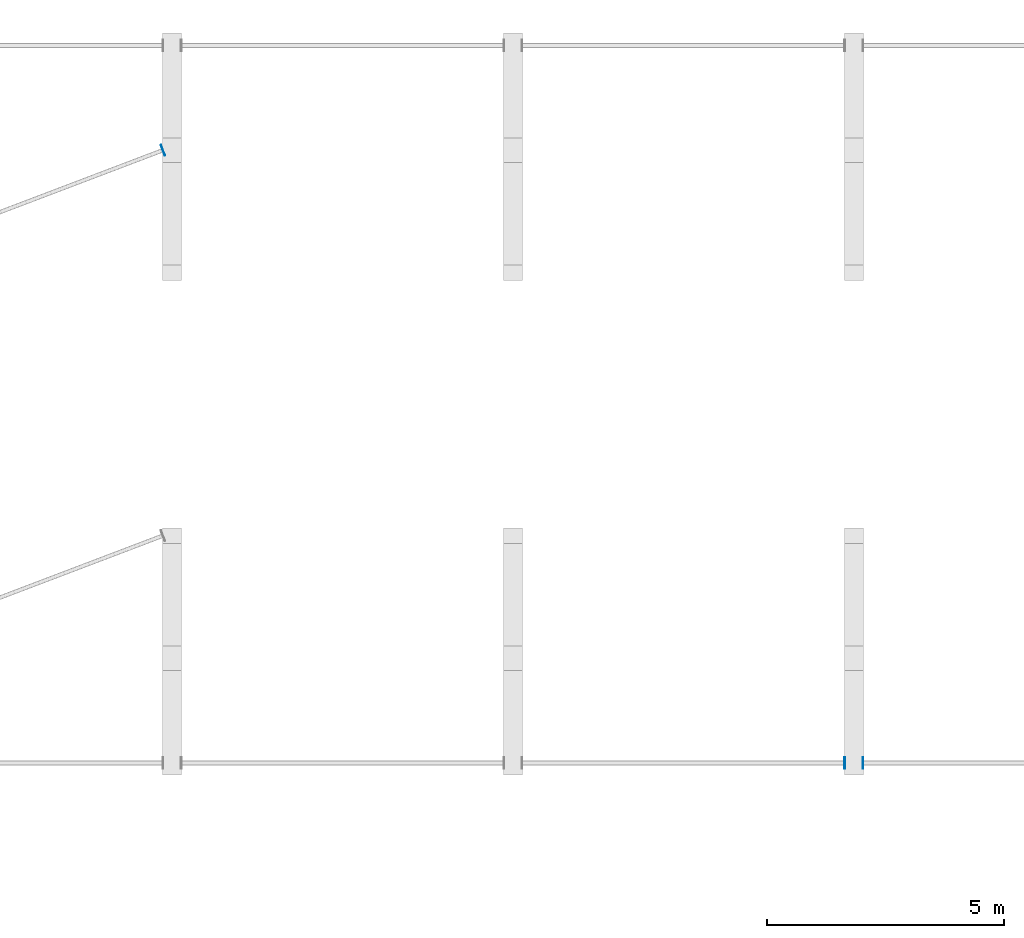
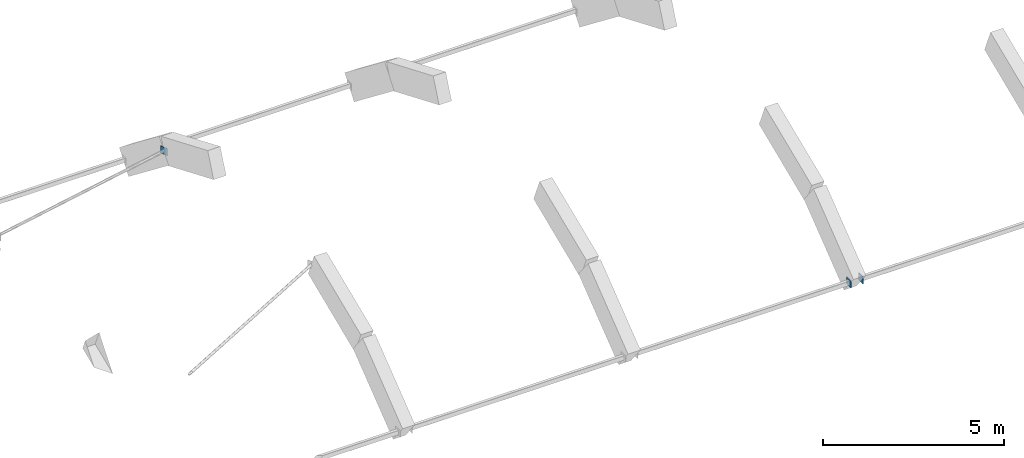
# One storey, part 26 of 64: 3 plates.
"""IFC4 building model written with IfcOpenShell, lengths in metres."""

from ifc_helpers import new_model, si_unit, direction, frame, origin, origin_2d, place, context, subcontext, project, spatial, rectangle, extrude, material, layer, layer_set, type_object, element, save


model = new_model("IFC4")

# Units and contexts
model_context = context("Model", 3, precision=1e-05, world=origin(), true_north=direction((0.0, 1.0)))
body_context = subcontext(model_context, "Body", "Model", "MODEL_VIEW")
ifc_project = project(units=[si_unit("LENGTHUNIT", "METRE"), si_unit("AREAUNIT", "SQUARE_METRE"), si_unit("VOLUMEUNIT", "CUBIC_METRE"), si_unit("PLANEANGLEUNIT", "RADIAN"), si_unit("MASSUNIT", "GRAM", prefix="KILO")], contexts=[model_context])

# Site, building, storey
site_placement = place(None, origin())
site = spatial("IfcSite", under=ifc_project, at=site_placement, CompositionType="ELEMENT")
building_placement = place(site_placement, origin())
building = spatial("IfcBuilding", under=site, at=building_placement, Name="Ochrevale Crest", CompositionType="ELEMENT")
storey_placement = place(building_placement, frame((0.0, 0.0, 8.699951171875)))
storey = spatial("IfcBuildingStorey", under=building, at=storey_placement, Name="L02", CompositionType="ELEMENT", Elevation=8.699951171875)

# Plates
ifc_material = material(Name="Steel S355", Category="steel")
ifc_layer = layer(ifc_material, 0.01611328125)
ifc_layer_set = layer_set([ifc_layer], Name="Steel S355")
plate_type = type_object("IfcPlateType", Name="PLT-CAP-16", PredefinedType="USERDEFINED", material=ifc_layer_set)
for number, where, z_axis, x_axis, name in (
    (1, (64.607421875, 59.36474609375, 2.412109375), (0.0, 0.0, 1.0), (0.934763684301, 0.355270114859, 0.0), "Community Hall vault CHS lateral brace B1-6 welded end cap plate CE"),
    (2, (79.008056640625, 46.42626953125, 0.77294921875), (0.0, 0.0, 1.0), (1.0, 0.0, 0.0), "Vault longitudinal steel purlin B3-2 welded end cap plate CE"),
    (3, (79.39208984375, 46.42626953125, 0.77294921875), (0.0, 0.0, 1.0), (1.0, 0.0, 0.0), "Vault longitudinal steel purlin B4-2 welded end cap plate CS"),
):
    element("IfcPlate", number, at=place(storey_placement, frame(where, z_axis=z_axis, x_axis=x_axis)), inside=storey, type_object=plate_type, Name=name, ObjectType="CAP PLATE", PredefinedType="USERDEFINED", context=body_context, shape_type="SweptSolid", body=[
        extrude(rectangle(XDim=0.01611328125, YDim=0.239990234375, at=origin_2d()), origin(), (0.0, 0.0, 1.0), 0.239990234375),
    ])

save(model, "model.ifc")
